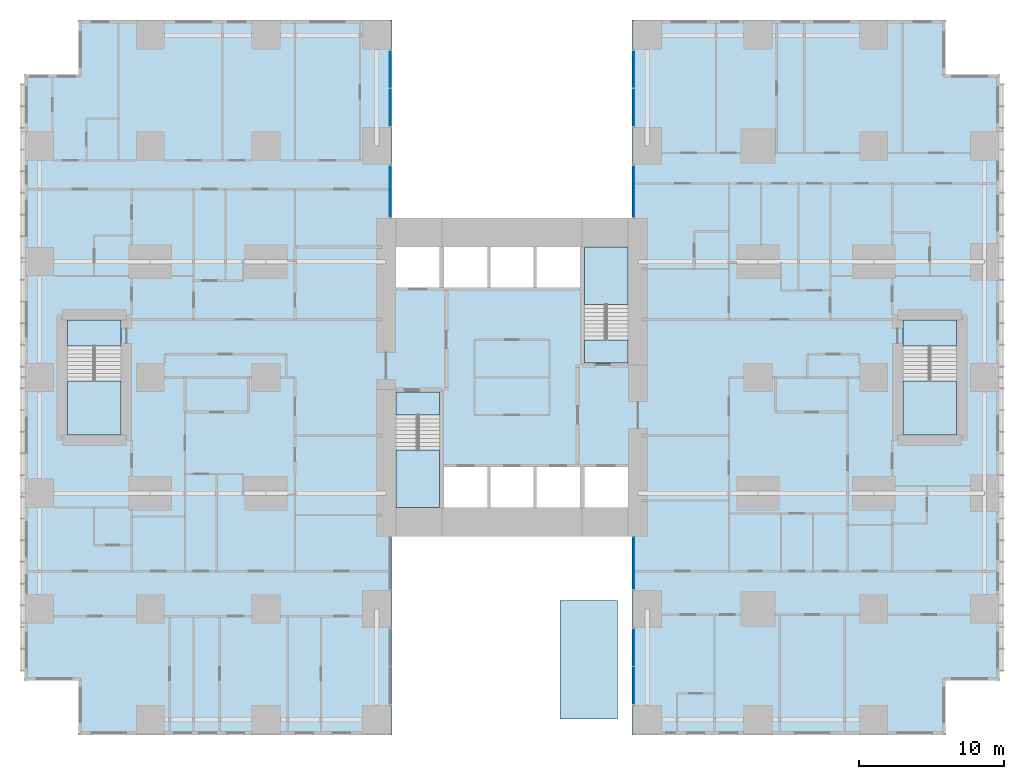
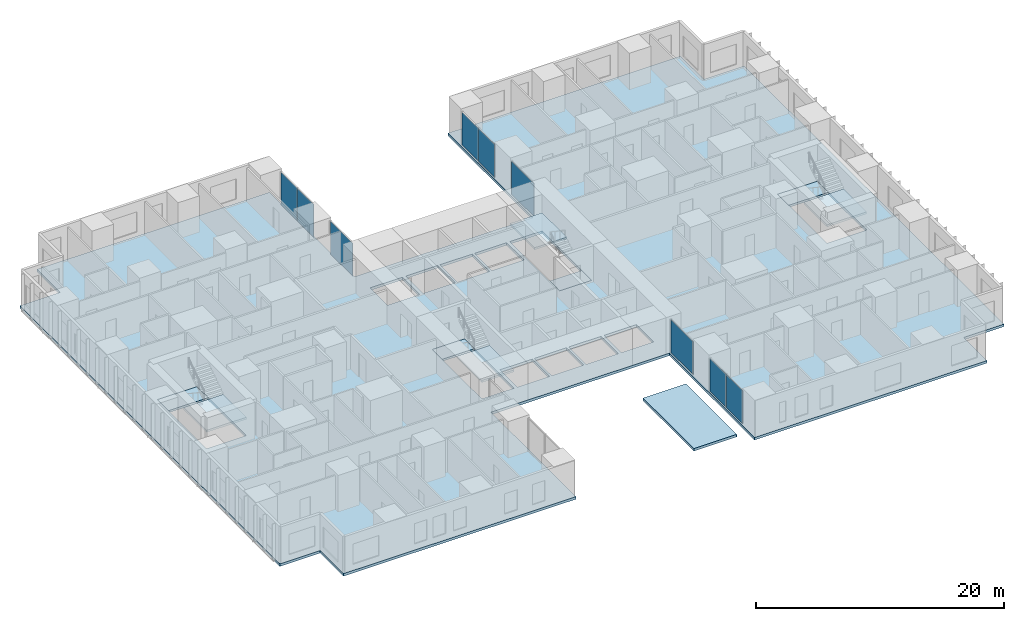
# One storey, part 9 of 22: 10 slabs, 9 plates, 10 elements without a shape of their own.
"""IFC4 building model written with IfcOpenShell, lengths in metres."""

from ifc_helpers import new_model, si_unit, direction, frame, origin, origin_2d, place, context, subcontext, project, spatial, polyline, rectangle, outline, extrude, material, layer, layer_set, type_object, element, aggregate, save


model = new_model("IFC4")

# Units and contexts
model_context = context("Model", 3, precision=1e-05, world=origin(), true_north=direction((0.0, 1.0)))
body_context = subcontext(model_context, "Body", "Model", "MODEL_VIEW")
ifc_project = project(units=[si_unit("LENGTHUNIT", "METRE"), si_unit("AREAUNIT", "SQUARE_METRE"), si_unit("VOLUMEUNIT", "CUBIC_METRE"), si_unit("PLANEANGLEUNIT", "RADIAN"), si_unit("MASSUNIT", "GRAM", prefix="KILO")], contexts=[model_context])

# Site, building, storey
site_placement = place(None, origin())
site = spatial("IfcSite", under=ifc_project, at=site_placement, CompositionType="ELEMENT")
building_placement = place(site_placement, origin())
building = spatial("IfcBuilding", under=site, at=building_placement, Name="Cleftline Residences", CompositionType="ELEMENT")
storey_placement = place(building_placement, frame((0.0, 0.0, 29.60009765625)))
storey = spatial("IfcBuildingStorey", under=building, at=storey_placement, Name="L06", CompositionType="ELEMENT", Elevation=29.60009765625)

# Curtain wall, plate
ifc_material_1 = material(Name="Aluminium framed curtain wall", Category="aluminium")
ifc_layer_1 = layer(ifc_material_1, 0.199951171875)
ifc_layer_set_1 = layer_set([ifc_layer_1], Name="CW1 CLEFT GLAZING")
curtain_wall_type = type_object("IfcCurtainWallType", Name="CW1 CLEFT GLAZING", PredefinedType="NOTDEFINED", material=ifc_layer_set_1)
curtain_wall_1_placement = place(storey_placement, origin())
curtain_wall_1 = element("IfcCurtainWall", 1, at=curtain_wall_1_placement, inside=storey, type_object=curtain_wall_type, Name="Curtain wall CW1", PredefinedType="NOTDEFINED")
ifc_material_2 = material(Name="Laminated clear glass", Category="glass")
ifc_layer_2 = layer(ifc_material_2, 0.028076171875)
ifc_layer_set_2 = layer_set([ifc_layer_2], Name="CW1 GLASS PANEL")
plate_type = type_object("IfcPlateType", Name="CW1 GLASS PANEL", PredefinedType="CURTAIN_PANEL", material=ifc_layer_set_2)
plate_1_placement = place(storey_placement, frame((41.425048828125, 11.14990234375, 0.059814453125), z_axis=(0.0, 0.0, 1.0), x_axis=(0.0, -1.0, 0.0)))
plate_1 = element("IfcPlate", 2, at=plate_1_placement, type_object=plate_type, Name="CW1 panel 1.1", PredefinedType="CURTAIN_PANEL", context=body_context, shape_type="SweptSolid", body=[
    extrude(rectangle(XDim=3.580078125, YDim=0.028076171875, at=origin_2d()), origin(), (0.0, 0.0, 1.0), 3.22998046875),
])
aggregate(curtain_wall_1, [plate_1])

# Curtain wall, plates
curtain_wall_2_placement = place(storey_placement, origin())
curtain_wall_2 = element("IfcCurtainWall", 3, at=curtain_wall_2_placement, inside=storey, type_object=curtain_wall_type, Name="Curtain wall CW1", PredefinedType="NOTDEFINED")
plate_2_placement = place(storey_placement, frame((41.425048828125, 5.347412109375, 0.059814453125), z_axis=(0.0, 0.0, 1.0), x_axis=(0.0, -1.0, 0.0)))
plate_2 = element("IfcPlate", 4, at=plate_2_placement, type_object=plate_type, Name="CW1 panel 1.1", PredefinedType="CURTAIN_PANEL", context=body_context, shape_type="SweptSolid", body=[
    extrude(rectangle(XDim=2.5849609375, YDim=0.028076171875, at=origin_2d()), origin(), (0.0, 0.0, 1.0), 3.22998046875),
])
plate_3_placement = place(storey_placement, frame((41.425048828125, 2.702392578125, 0.059814453125), z_axis=(0.0, 0.0, 1.0), x_axis=(0.0, -1.0, 0.0)))
plate_3 = element("IfcPlate", 5, at=plate_3_placement, type_object=plate_type, Name="CW1 panel 2.1", PredefinedType="CURTAIN_PANEL", context=body_context, shape_type="SweptSolid", body=[
    extrude(rectangle(XDim=2.5849609375, YDim=0.028076171875, at=origin_2d()), origin(), (0.0, 0.0, 1.0), 3.22998046875),
])
aggregate(curtain_wall_2, [plate_2, plate_3])

curtain_wall_3_placement = place(storey_placement, origin())
curtain_wall_3 = element("IfcCurtainWall", 6, at=curtain_wall_3_placement, inside=storey, type_object=curtain_wall_type, Name="Curtain wall CW1", PredefinedType="NOTDEFINED")
plate_4_placement = place(storey_placement, frame((41.425048828125, 45.297607421875, 0.059814453125), z_axis=(0.0, 0.0, 1.0), x_axis=(0.0, -1.0, 0.0)))
plate_4 = element("IfcPlate", 7, at=plate_4_placement, type_object=plate_type, Name="CW1 panel 1.1", PredefinedType="CURTAIN_PANEL", context=body_context, shape_type="SweptSolid", body=[
    extrude(rectangle(XDim=2.5849609375, YDim=0.028076171875, at=origin_2d()), origin(), (0.0, 0.0, 1.0), 3.22998046875),
])
plate_5_placement = place(storey_placement, frame((41.425048828125, 42.652587890625, 0.059814453125), z_axis=(0.0, 0.0, 1.0), x_axis=(0.0, -1.0, 0.0)))
plate_5 = element("IfcPlate", 8, at=plate_5_placement, type_object=plate_type, Name="CW1 panel 2.1", PredefinedType="CURTAIN_PANEL", context=body_context, shape_type="SweptSolid", body=[
    extrude(rectangle(XDim=2.5849609375, YDim=0.028076171875, at=origin_2d()), origin(), (0.0, 0.0, 1.0), 3.22998046875),
])
aggregate(curtain_wall_3, [plate_4, plate_5])

# Curtain wall, plate
curtain_wall_4_placement = place(storey_placement, origin())
curtain_wall_4 = element("IfcCurtainWall", 9, at=curtain_wall_4_placement, inside=storey, type_object=curtain_wall_type, Name="Curtain wall CW1", PredefinedType="NOTDEFINED")
plate_6_placement = place(storey_placement, frame((41.425048828125, 36.85009765625, 0.059814453125), z_axis=(0.0, 0.0, 1.0), x_axis=(0.0, -1.0, 0.0)))
plate_6 = element("IfcPlate", 10, at=plate_6_placement, type_object=plate_type, Name="CW1 panel 1.1", PredefinedType="CURTAIN_PANEL", context=body_context, shape_type="SweptSolid", body=[
    extrude(rectangle(XDim=3.580078125, YDim=0.028076171875, at=origin_2d()), origin(), (0.0, 0.0, 1.0), 3.22998046875),
])
aggregate(curtain_wall_4, [plate_6])

curtain_wall_5_placement = place(storey_placement, origin())
curtain_wall_5 = element("IfcCurtainWall", 11, at=curtain_wall_5_placement, inside=storey, type_object=curtain_wall_type, Name="Curtain wall CW1", PredefinedType="NOTDEFINED")
plate_7_placement = place(storey_placement, frame((24.574951171875, 36.85009765625, 0.059814453125), z_axis=(0.0, 0.0, 1.0), x_axis=(0.0, 1.0, 0.0)))
plate_7 = element("IfcPlate", 12, at=plate_7_placement, type_object=plate_type, Name="CW1 panel 1.1", PredefinedType="CURTAIN_PANEL", context=body_context, shape_type="SweptSolid", body=[
    extrude(rectangle(XDim=3.580078125, YDim=0.028076171875, at=origin_2d()), origin(), (0.0, 0.0, 1.0), 3.22998046875),
])
aggregate(curtain_wall_5, [plate_7])

# Curtain wall, plates
curtain_wall_6_placement = place(storey_placement, origin())
curtain_wall_6 = element("IfcCurtainWall", 13, at=curtain_wall_6_placement, inside=storey, type_object=curtain_wall_type, Name="Curtain wall CW1", PredefinedType="NOTDEFINED")
plate_8_placement = place(storey_placement, frame((24.574951171875, 42.652587890625, 0.059814453125), z_axis=(0.0, 0.0, 1.0), x_axis=(0.0, 1.0, 0.0)))
plate_8 = element("IfcPlate", 14, at=plate_8_placement, type_object=plate_type, Name="CW1 panel 1.1", PredefinedType="CURTAIN_PANEL", context=body_context, shape_type="SweptSolid", body=[
    extrude(rectangle(XDim=2.5849609375, YDim=0.028076171875, at=origin_2d()), origin(), (0.0, 0.0, 1.0), 3.22998046875),
])
plate_9_placement = place(storey_placement, frame((24.574951171875, 45.297607421875, 0.059814453125), z_axis=(0.0, 0.0, 1.0), x_axis=(0.0, 1.0, 0.0)))
plate_9 = element("IfcPlate", 15, at=plate_9_placement, type_object=plate_type, Name="CW1 panel 2.1", PredefinedType="CURTAIN_PANEL", context=body_context, shape_type="SweptSolid", body=[
    extrude(rectangle(XDim=2.5849609375, YDim=0.028076171875, at=origin_2d()), origin(), (0.0, 0.0, 1.0), 3.22998046875),
])
aggregate(curtain_wall_6, [plate_8, plate_9])

# Slabs
ifc_material_3 = material(Name="Concrete B45", Category="concrete")
ifc_layer_3 = layer(ifc_material_3, 0.25)
ifc_layer_set_3 = layer_set([ifc_layer_3], Name="FLOOR SLAB 250")
slab_type_1 = type_object("IfcSlabType", Name="FLOOR SLAB 250", PredefinedType="FLOOR", material=ifc_layer_set_3)
slab_1_placement = place(storey_placement, frame((0.0, 0.0, -0.25)))
element("IfcSlab", 16, at=slab_1_placement, inside=storey, type_object=slab_type_1, Name="Floor slab L06", PredefinedType="FLOOR", context=body_context, shape_type="SweptSolid", body=[
    extrude(outline(polyline([(24.699951171875, 13.0), (41.300048828125, 13.0), (41.300048828125, -0.699951171875), (62.949951171875, -0.699951171875), (62.949951171875, 3.050048828125), (66.699951171875, 3.050048828125), (66.699951171875, 44.949951171875), (62.949951171875, 44.949951171875), (62.949951171875, 48.699951171875), (41.300048828125, 48.699951171875), (41.300048828125, 35.0), (24.699951171875, 35.0), (24.699951171875, 48.699951171875), (3.050048828125, 48.699951171875), (3.050048828125, 44.949951171875), (-0.699951171875, 44.949951171875), (-0.699951171875, 3.050048828125), (3.050048828125, 3.050048828125), (3.050048828125, -0.699951171875), (24.699951171875, -0.699951171875), (24.699951171875, 13.0)]), holes=[polyline([(28.0, 15.0), (28.0, 23.0), (25.0, 23.0), (25.0, 15.0), (28.0, 15.0)]), polyline([(41.0, 25.0), (41.0, 33.0), (38.0, 33.0), (38.0, 25.0), (41.0, 25.0)]), polyline([(28.0, 30.199951171875), (28.0, 33.0), (25.0, 33.0), (25.0, 30.199951171875), (28.0, 30.199951171875)]), polyline([(41.0, 15.0), (41.0, 17.800048828125), (38.0, 17.800048828125), (38.0, 15.0), (41.0, 15.0)]), polyline([(31.300048828125, 15.0), (31.300048828125, 17.800048828125), (28.300048828125, 17.800048828125), (28.300048828125, 15.0), (31.300048828125, 15.0)]), polyline([(34.5, 15.0), (34.5, 17.800048828125), (31.5, 17.800048828125), (31.5, 15.0), (34.5, 15.0)]), polyline([(37.699951171875, 15.0), (37.699951171875, 17.800048828125), (34.699951171875, 17.800048828125), (34.699951171875, 15.0), (37.699951171875, 15.0)]), polyline([(31.300048828125, 30.199951171875), (31.300048828125, 33.0), (28.300048828125, 33.0), (28.300048828125, 30.199951171875), (31.300048828125, 30.199951171875)]), polyline([(34.5, 30.199951171875), (34.5, 33.0), (31.5, 33.0), (31.5, 30.199951171875), (34.5, 30.199951171875)]), polyline([(37.699951171875, 30.199951171875), (37.699951171875, 33.0), (34.699951171875, 33.0), (34.699951171875, 30.199951171875), (37.699951171875, 30.199951171875)]), polyline([(63.72509765625, 20.02490234375), (63.72509765625, 27.97509765625), (60.02490234375, 27.97509765625), (60.02490234375, 20.02490234375), (63.72509765625, 20.02490234375)]), polyline([(5.97509765625, 20.02490234375), (5.97509765625, 27.97509765625), (2.27490234375, 27.97509765625), (2.27490234375, 20.02490234375), (5.97509765625, 20.02490234375)])]), origin(), (0.0, 0.0, 1.0), 0.25),
])
ifc_material_4 = material(Name="Concrete B45", Category="concrete")
ifc_layer_4 = layer(ifc_material_4, 0.25)
ifc_layer_set_4 = layer_set([ifc_layer_4], Name="STAIR HOUSE ROOF SLAB 250")
slab_type_2 = type_object("IfcSlabType", Name="STAIR HOUSE ROOF SLAB 250", PredefinedType="ROOF", material=ifc_layer_set_4)
slab_2_placement = place(storey_placement, frame((0.0, 0.0, -0.25)))
element("IfcSlab", 17, at=slab_2_placement, inside=storey, type_object=slab_type_2, Name="Stair C2 roof", PredefinedType="ROOF", context=body_context, shape_type="SweptSolid", body=[
    extrude(outline(polyline([(40.2900390625, 0.39990234375), (40.291015625, 0.39990234375), (40.2919921875, 0.400146484375), (40.29296875, 0.400390625), (40.293701171875, 0.40087890625), (40.294677734375, 0.401123046875), (40.295654296875, 0.401611328125), (40.29638671875, 0.40234375), (40.297119140625, 0.40283203125), (40.297607421875, 0.40380859375), (40.29833984375, 0.404296875), (40.298828125, 0.4052734375), (40.29931640625, 0.40625), (40.299560546875, 0.406982421875), (40.2998046875, 0.407958984375), (40.300048828125, 0.408935546875), (40.300048828125, 0.409912109375), (40.300048828125, 8.590087890625), (40.300048828125, 8.591064453125), (40.2998046875, 8.592041015625), (40.299560546875, 8.593017578125), (40.29931640625, 8.59375), (40.298828125, 8.5947265625), (40.29833984375, 8.595703125), (40.297607421875, 8.59619140625), (40.297119140625, 8.59716796875), (40.29638671875, 8.59765625), (40.295654296875, 8.598388671875), (40.294677734375, 8.598876953125), (40.293701171875, 8.59912109375), (40.29296875, 8.599609375), (40.2919921875, 8.599853515625), (40.291015625, 8.60009765625), (40.2900390625, 8.60009765625), (36.31005859375, 8.60009765625), (36.30908203125, 8.60009765625), (36.30810546875, 8.599853515625), (36.30712890625, 8.599609375), (36.30615234375, 8.59912109375), (36.305419921875, 8.598876953125), (36.304443359375, 8.598388671875), (36.3037109375, 8.59765625), (36.302978515625, 8.59716796875), (36.30224609375, 8.59619140625), (36.3017578125, 8.595703125), (36.30126953125, 8.5947265625), (36.30078125, 8.59375), (36.30029296875, 8.593017578125), (36.30029296875, 8.592041015625), (36.300048828125, 8.591064453125), (36.300048828125, 8.590087890625), (36.300048828125, 0.409912109375), (36.300048828125, 0.408935546875), (36.30029296875, 0.407958984375), (36.30029296875, 0.406982421875), (36.30078125, 0.40625), (36.30126953125, 0.4052734375), (36.3017578125, 0.404296875), (36.30224609375, 0.40380859375), (36.302978515625, 0.40283203125), (36.3037109375, 0.40234375), (36.304443359375, 0.401611328125), (36.305419921875, 0.401123046875), (36.30615234375, 0.40087890625), (36.30712890625, 0.400390625), (36.30810546875, 0.400146484375), (36.30908203125, 0.39990234375), (36.31005859375, 0.39990234375), (40.2900390625, 0.39990234375)])), origin(), (0.0, 0.0, 1.0), 0.25),
])

# Stair, slabs
ifc_material_5 = material(Name="Concrete B45, stone treads", Category="masonry")
stair_type_1 = type_object("IfcStairType", Name="STAIR A 1450 WIDE 180 RISER", PredefinedType="HALF_TURN_STAIR", material=ifc_material_5)
stair_1_placement = place(storey_placement, origin())
stair_1 = element("IfcStair", 18, at=stair_1_placement, inside=storey, type_object=stair_type_1, Name="Stair A L06", PredefinedType="HALF_TURN_STAIR")
ifc_material_6 = material(Name="Concrete B45", Category="concrete")
ifc_layer_5 = layer(ifc_material_6, 0.199951171875)
ifc_layer_set_5 = layer_set([ifc_layer_5], Name="STAIR LANDING 200")
slab_type_3 = type_object("IfcSlabType", Name="STAIR LANDING 200", PredefinedType="LANDING", material=ifc_layer_set_5)
slab_3_placement = place(storey_placement, frame((0.0, 0.0, -0.2001953125)))
slab_3 = element("IfcSlab", 19, at=slab_3_placement, type_object=slab_type_3, Name="ST-A landing 1", PredefinedType="LANDING", context=body_context, shape_type="SweptSolid", body=[
    extrude(outline(polyline([(25.0, 21.39990234375), (28.0, 21.39990234375), (28.0, 23.0), (25.0, 23.0), (25.0, 21.39990234375)])), origin(), (0.0, 0.0, 1.0), 0.2001953125),
])
slab_4_placement = place(storey_placement, frame((0.0, 0.0, 1.599853515625)))
slab_4 = element("IfcSlab", 20, at=slab_4_placement, type_object=slab_type_3, Name="ST-A landing 2", PredefinedType="LANDING", context=body_context, shape_type="SweptSolid", body=[
    extrude(outline(polyline([(25.0, 15.0), (28.0, 15.0), (28.0, 18.969970703125), (25.0, 18.969970703125), (25.0, 15.0)])), origin(), (0.0, 0.0, 1.0), 0.199951171875),
])
aggregate(stair_1, [slab_3, slab_4])

ifc_material_7 = material(Name="Concrete B45, stone treads", Category="masonry")
stair_type_2 = type_object("IfcStairType", Name="STAIR B 1450 WIDE 180 RISER", PredefinedType="HALF_TURN_STAIR", material=ifc_material_7)
stair_2_placement = place(storey_placement, origin())
stair_2 = element("IfcStair", 21, at=stair_2_placement, inside=storey, type_object=stair_type_2, Name="Stair B L06", PredefinedType="HALF_TURN_STAIR")
slab_5_placement = place(storey_placement, frame((0.0, 0.0, -0.2001953125)))
slab_5 = element("IfcSlab", 22, at=slab_5_placement, type_object=slab_type_3, Name="ST-B landing 1", PredefinedType="LANDING", context=body_context, shape_type="SweptSolid", body=[
    extrude(outline(polyline([(38.0, 25.0), (41.0, 25.0), (41.0, 26.60009765625), (38.0, 26.60009765625), (38.0, 25.0)])), origin(), (0.0, 0.0, 1.0), 0.2001953125),
])
slab_6_placement = place(storey_placement, frame((0.0, 0.0, 1.599853515625)))
slab_6 = element("IfcSlab", 23, at=slab_6_placement, type_object=slab_type_3, Name="ST-B landing 2", PredefinedType="LANDING", context=body_context, shape_type="SweptSolid", body=[
    extrude(outline(polyline([(38.0, 29.030029296875), (41.0, 29.030029296875), (41.0, 33.0), (38.0, 33.0), (38.0, 29.030029296875)])), origin(), (0.0, 0.0, 1.0), 0.199951171875),
])
aggregate(stair_2, [slab_5, slab_6])

ifc_material_8 = material(Name="Concrete B45, stone treads", Category="masonry")
stair_type_3 = type_object("IfcStairType", Name="STAIR E 1800 WIDE 180 RISER", PredefinedType="HALF_TURN_STAIR", material=ifc_material_8)
stair_3_placement = place(storey_placement, origin())
stair_3 = element("IfcStair", 24, at=stair_3_placement, inside=storey, type_object=stair_type_3, Name="Stair E L06", PredefinedType="HALF_TURN_STAIR")
slab_7_placement = place(storey_placement, frame((0.0, 0.0, -0.2001953125)))
slab_7 = element("IfcSlab", 25, at=slab_7_placement, type_object=slab_type_3, Name="ST-E landing 1", PredefinedType="LANDING", context=body_context, shape_type="SweptSolid", body=[
    extrude(outline(polyline([(60.02490234375, 26.175048828125), (63.72509765625, 26.175048828125), (63.72509765625, 27.97509765625), (60.02490234375, 27.97509765625), (60.02490234375, 26.175048828125)])), origin(), (0.0, 0.0, 1.0), 0.2001953125),
])
slab_8_placement = place(storey_placement, frame((0.0, 0.0, 1.599853515625)))
slab_8 = element("IfcSlab", 26, at=slab_8_placement, type_object=slab_type_3, Name="ST-E landing 2", PredefinedType="LANDING", context=body_context, shape_type="SweptSolid", body=[
    extrude(outline(polyline([(60.02490234375, 20.02490234375), (63.72509765625, 20.02490234375), (63.72509765625, 23.7451171875), (60.02490234375, 23.7451171875), (60.02490234375, 20.02490234375)])), origin(), (0.0, 0.0, 1.0), 0.199951171875),
])
aggregate(stair_3, [slab_7, slab_8])

ifc_material_9 = material(Name="Concrete B45, stone treads", Category="masonry")
stair_type_4 = type_object("IfcStairType", Name="STAIR W 1800 WIDE 180 RISER", PredefinedType="HALF_TURN_STAIR", material=ifc_material_9)
stair_4_placement = place(storey_placement, origin())
stair_4 = element("IfcStair", 27, at=stair_4_placement, inside=storey, type_object=stair_type_4, Name="Stair W L06", PredefinedType="HALF_TURN_STAIR")
slab_9_placement = place(storey_placement, frame((0.0, 0.0, -0.2001953125)))
slab_9 = element("IfcSlab", 28, at=slab_9_placement, type_object=slab_type_3, Name="ST-W landing 1", PredefinedType="LANDING", context=body_context, shape_type="SweptSolid", body=[
    extrude(outline(polyline([(2.27490234375, 26.175048828125), (5.97509765625, 26.175048828125), (5.97509765625, 27.97509765625), (2.27490234375, 27.97509765625), (2.27490234375, 26.175048828125)])), origin(), (0.0, 0.0, 1.0), 0.2001953125),
])
slab_10_placement = place(storey_placement, frame((0.0, 0.0, 1.599853515625)))
slab_10 = element("IfcSlab", 29, at=slab_10_placement, type_object=slab_type_3, Name="ST-W landing 2", PredefinedType="LANDING", context=body_context, shape_type="SweptSolid", body=[
    extrude(outline(polyline([(2.27490234375, 20.02490234375), (5.97509765625, 20.02490234375), (5.97509765625, 23.7451171875), (2.27490234375, 23.7451171875), (2.27490234375, 20.02490234375)])), origin(), (0.0, 0.0, 1.0), 0.199951171875),
])
aggregate(stair_4, [slab_9, slab_10])

save(model, "model.ifc")
